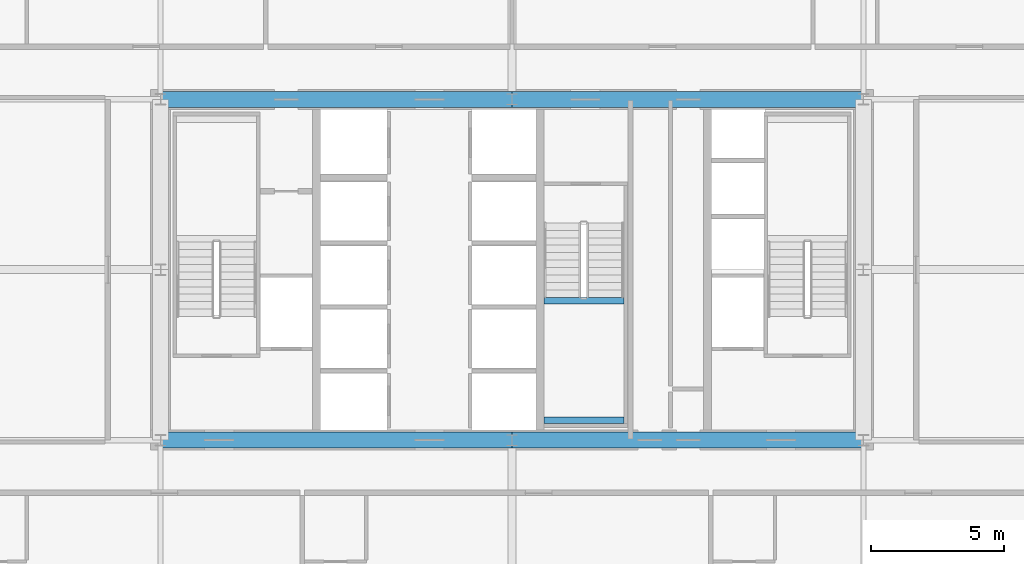
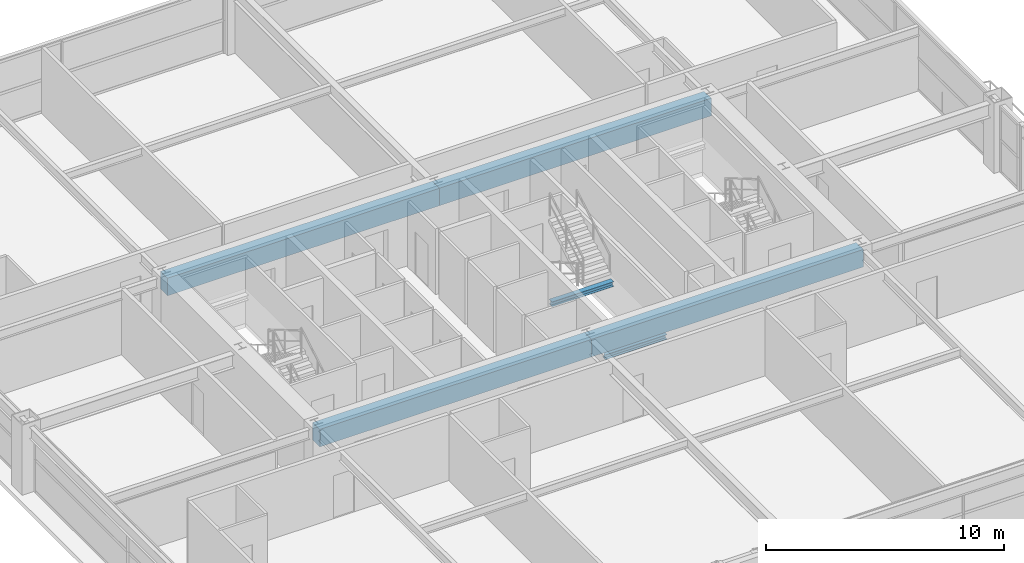
# One storey, part 13 of 43: 6 beams.
"""IFC4 building model written with IfcOpenShell, lengths in metres."""

from ifc_helpers import new_model, si_unit, direction, frame, origin, origin_2d, place, context, subcontext, project, spatial, rectangle, i_section, extrude, source, transform, mapped, material, material_profile, profile_set, type_object, element, save


model = new_model("IFC4")

# Units and contexts
model_context = context("Model", 3, precision=1e-05, world=origin(), true_north=direction((0.0, 1.0)))
body_context = subcontext(model_context, "Body", "Model", "MODEL_VIEW")
ifc_project = project(units=[si_unit("LENGTHUNIT", "METRE"), si_unit("AREAUNIT", "SQUARE_METRE"), si_unit("VOLUMEUNIT", "CUBIC_METRE"), si_unit("PLANEANGLEUNIT", "RADIAN"), si_unit("MASSUNIT", "GRAM", prefix="KILO"), si_unit("THERMODYNAMICTEMPERATUREUNIT", "KELVIN"), si_unit("POWERUNIT", "WATT")], contexts=[model_context])

# Site, building, storey
site_placement = place(None, origin())
site = spatial("IfcSite", under=ifc_project, at=site_placement, CompositionType="ELEMENT")
building_placement = place(site_placement, origin())
building = spatial("IfcBuilding", under=site, at=building_placement, Name="Yuzanri Waterfront Tower", CompositionType="ELEMENT")
storey_placement = place(building_placement, frame((0.0, 0.0, 101.0)))
storey = spatial("IfcBuildingStorey", under=building, at=storey_placement, Name="L26", CompositionType="ELEMENT", Elevation=101.0)

# Beams
ifc_material_1 = material(Name="Concrete C60", Category="concrete")
ifc_material_profile_1 = material_profile(ifc_material_1, rectangle(XDim=0.60009765625, YDim=0.89990234375, at=origin_2d()), Name="RC 600x900")
ifc_profile_set_1 = profile_set([ifc_material_profile_1], Name="Concrete C60")
beam_type_1 = type_object("IfcBeamType", Name="Core Coupling Lintel Concrete C60 600x900", PredefinedType="LINTEL", material=ifc_profile_set_1)
shared_shape_1 = source(origin(), body_context, "Body", "SweptSolid", [
    extrude(rectangle(XDim=0.60009765625, YDim=0.89990234375, at=origin_2d()), origin(), (0.0, 0.0, 1.0), 13.199951171875),
])
for number, where, z_axis, x_axis, name in (
    (1, (23.800048828125, 19.39990234375, 2.929931640625), (1.0, 0.0, 0.0), (0.0, 1.0, 0.0), "L26 Core Tie Beam CS1"),
    (2, (37.0, 19.39990234375, 2.929931640625), (1.0, 0.0, 0.0), (0.0, 1.0, 0.0), "L26 Core Tie Beam CS2"),
    (3, (23.800048828125, 32.199951171875, 2.929931640625), (1.0, 0.0, 0.0), (0.0, 1.0, 0.0), "L26 Core Tie Beam CN1"),
    (4, (37.0, 32.199951171875, 2.929931640625), (1.0, 0.0, 0.0), (0.0, 1.0, 0.0), "L26 Core Tie Beam CN2"),
):
    element("IfcBeam", number, at=place(storey_placement, frame(where, z_axis=z_axis, x_axis=x_axis)), inside=storey, type_object=beam_type_1, Name=name, PredefinedType="LINTEL", context=body_context, shape_type="MappedRepresentation", body=[
        mapped(shared_shape_1, transform((0.0, 0.0, 0.0), scale=1.0)),
    ])
ifc_material_2 = material(Name="Steel Q355B", Category="steel")
ifc_material_profile_2 = material_profile(ifc_material_2, i_section(OverallWidth=0.25, OverallDepth=0.25, WebThickness=0.009033203125, FlangeThickness=0.013916015625, at=origin_2d()), Name="HW 250x250x9x14")
ifc_profile_set_2 = profile_set([ifc_material_profile_2], Name="Steel Q355B")
beam_type_2 = type_object("IfcBeamType", Name="Stair Landing Support Beam Q355B HW 250x250", PredefinedType="BEAM", material=ifc_profile_set_2)
shared_shape_2 = source(origin(), body_context, "Body", "SweptSolid", [
    extrude(i_section(OverallWidth=0.25, OverallDepth=0.25, WebThickness=0.009033203125, FlangeThickness=0.013916015625, at=origin_2d()), origin(), (0.0, 0.0, 1.0), 3.0),
])
for number, where, z_axis, x_axis, name in (
    (5, (38.199951171875, 20.14990234375, 1.47509765625), (1.0, 0.0, 0.0), (0.0, 1.0, 0.0), "L26 Stair Landing Support Beam ST-03-L26-L1-1"),
    (6, (38.199951171875, 24.6298828125, 1.47509765625), (1.0, 0.0, 0.0), (0.0, 1.0, 0.0), "L26 Stair Landing Support Beam ST-03-L26-L1-2"),
):
    element("IfcBeam", number, at=place(storey_placement, frame(where, z_axis=z_axis, x_axis=x_axis)), inside=storey, type_object=beam_type_2, Name=name, PredefinedType="BEAM", context=body_context, shape_type="MappedRepresentation", body=[
        mapped(shared_shape_2, transform((0.0, 0.0, 0.0), scale=1.0)),
    ])

save(model, "model.ifc")
